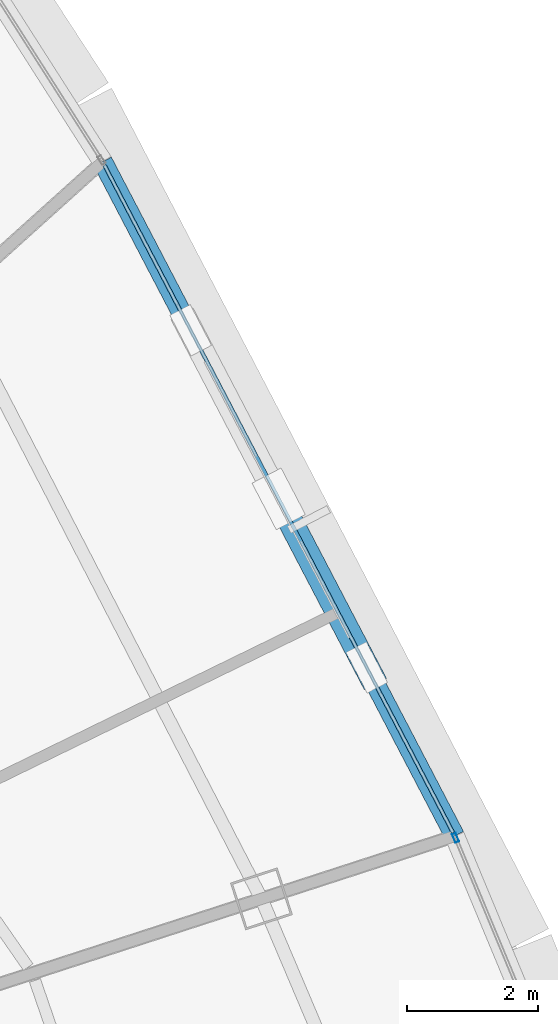
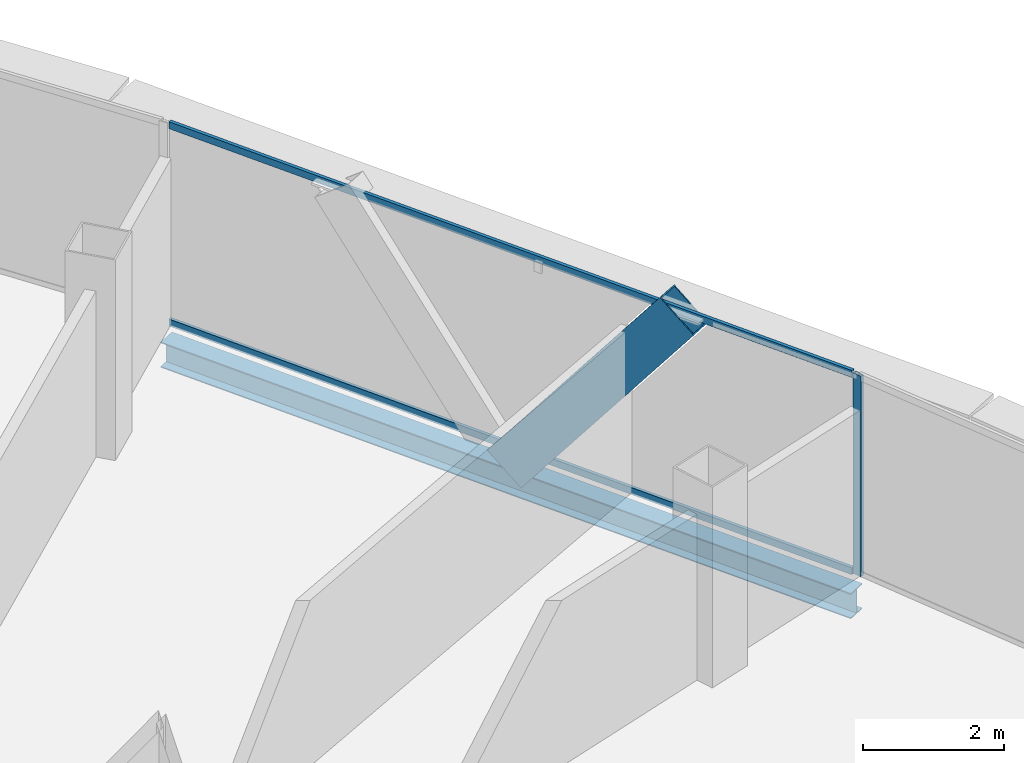
# One storey, part 16 of 37: 4 members, 1 beam, 2 elements without a shape of their own.
"""IFC4 building model written with IfcOpenShell, lengths in metres."""

from ifc_helpers import new_model, si_unit, direction, frame, origin, origin_2d, place, context, subcontext, project, spatial, hollow_rectangle, i_section, extrude, source, transform, mapped, material, layer, layer_set, material_profile, profile_set, type_object, element, aggregate, save


model = new_model("IFC4")

# Units and contexts
model_context = context("Model", 3, precision=1e-05, world=origin(), true_north=direction((0.0, 1.0)))
body_context = subcontext(model_context, "Body", "Model", "MODEL_VIEW")
ifc_project = project(units=[si_unit("LENGTHUNIT", "METRE"), si_unit("AREAUNIT", "SQUARE_METRE"), si_unit("VOLUMEUNIT", "CUBIC_METRE"), si_unit("PLANEANGLEUNIT", "RADIAN"), si_unit("MASSUNIT", "GRAM", prefix="KILO"), si_unit("THERMODYNAMICTEMPERATUREUNIT", "KELVIN"), si_unit("POWERUNIT", "WATT")], contexts=[model_context])

# Site, building, storey
site_placement = place(None, origin())
site = spatial("IfcSite", under=ifc_project, at=site_placement, CompositionType="ELEMENT")
building_placement = place(site_placement, origin())
building = spatial("IfcBuilding", under=site, at=building_placement, Name="Yunzhuo Pagoda Commons", CompositionType="ELEMENT")
storey_placement = place(building_placement, frame((0.0, 0.0, 281.2900390625)))
storey = spatial("IfcBuildingStorey", under=building, at=storey_placement, Name="L70", CompositionType="ELEMENT", Elevation=281.2900390625)

# Beam
ifc_material_1 = material(Name="Structural steel Q355B", Category="steel")
ifc_material_profile_1 = material_profile(ifc_material_1, i_section(OverallWidth=0.300048828125, OverallDepth=0.43994140625, WebThickness=0.010986328125, FlangeThickness=0.01806640625, at=origin_2d()), Name="Structural steel Q355B")
ifc_profile_set_1 = profile_set([ifc_material_profile_1], Name="Structural steel Q355B")
beam_type = type_object("IfcBeamType", Name="B-SP2 Beam HM 440x300x11x18", PredefinedType="BEAM", material=ifc_profile_set_1)
shared_shape_1 = source(origin(), body_context, "Body", "SweptSolid", [
    extrude(i_section(OverallWidth=0.300048828125, OverallDepth=0.43994140625, WebThickness=0.010986328125, FlangeThickness=0.01806640625, at=origin_2d()), origin(), (0.0, 0.0, 1.0), 11.5908203125),
])
beam_placement = place(storey_placement, frame((74.248291015625, 42.228515625, -0.47998046875), z_axis=(-0.462882706125, 0.886419539705, 0.0), x_axis=(-0.886419539705, -0.462882706125, 0.0)))
element("IfcBeam", 1, at=beam_placement, inside=storey, type_object=beam_type, Name="L70 facade edge spandrel beam F2.2", PredefinedType="BEAM", context=body_context, shape_type="MappedRepresentation", body=[
    mapped(shared_shape_1, transform((0.0, 0.0, 0.0), scale=1.0)),
])

# Member
ifc_material_profile_2 = material_profile(ifc_material_1, hollow_rectangle(XDim=0.3798828125, YDim=0.719970703125, WallThickness=0.02001953125, at=origin_2d()), Name="Structural steel Q355B")
ifc_profile_set_2 = profile_set([ifc_material_profile_2], Name="Structural steel Q355B")
member_type_1 = type_object("IfcMemberType", Name="M-DL3 Brace BOX 720x380x20", PredefinedType="BRACE", material=ifc_profile_set_2)
shared_shape_2 = source(origin(), body_context, "Body", "SweptSolid", [
    extrude(hollow_rectangle(XDim=0.3798828125, YDim=0.719970703125, WallThickness=0.02001953125, at=origin_2d()), origin(), (0.0, 0.0, 1.0), 4.723388671875),
])
member_1_placement = place(storey_placement, frame((71.5654296875, 47.36572265625, -0.260009765625), z_axis=(0.284024371624, -0.543807172676, 0.789685959904), x_axis=(0.886384969123, 0.462948902702, 0.0)))
element("IfcMember", 2, at=member_1_placement, inside=storey, type_object=member_type_1, Name="L70 facade diamond brace F2.2L", PredefinedType="BRACE", context=body_context, shape_type="MappedRepresentation", body=[
    mapped(shared_shape_2, transform((0.0, 0.0, 0.0), scale=1.0)),
])

# Curtain wall, member
ifc_material_2 = material(Name="Anodized aluminium 6063-T6", Category="aluminium")
ifc_layer = layer(ifc_material_2, 0.139892578125)
ifc_layer_set = layer_set([ifc_layer], Name="Anodized aluminium 6063-T6")
curtain_wall_type = type_object("IfcCurtainWallType", Name="CW-HI High-Zone Ribbon Curtain Wall", PredefinedType="NOTDEFINED", material=ifc_layer_set)
curtain_wall_1_placement = place(storey_placement, origin())
curtain_wall_1 = element("IfcCurtainWall", 3, at=curtain_wall_1_placement, inside=storey, type_object=curtain_wall_type, Name="L70 curtain wall CW-L70-F2B2", PredefinedType="NOTDEFINED")
ifc_material_profile_3 = material_profile(ifc_material_2, hollow_rectangle(XDim=0.06005859375, YDim=0.139892578125, WallThickness=0.00341796875, at=origin_2d()), Name="Anodized aluminium 6063-T6")
ifc_profile_set_3 = profile_set([ifc_material_profile_3], Name="Anodized aluminium 6063-T6")
member_type_2 = type_object("IfcMemberType", Name="CW-HI-M Mullion RHS 140x60x3.5", PredefinedType="MULLION", material=ifc_profile_set_3)
shared_shape_3 = source(origin(), body_context, "Body", "SweptSolid", [
    extrude(hollow_rectangle(XDim=0.06005859375, YDim=0.139892578125, WallThickness=0.00341796875, at=origin_2d()), origin(), (0.0, 0.0, 1.0), 3.469970703125),
])
member_2_placement = place(storey_placement, frame((74.259765625, 42.200927734375, 0.0), z_axis=(0.0, 0.0, 1.0), x_axis=(-0.923393531316, -0.383854642182, 0.0)))
member_2 = element("IfcMember", 4, at=member_2_placement, type_object=member_type_2, Name="CW mullion 2", PredefinedType="MULLION", context=body_context, shape_type="MappedRepresentation", body=[
    mapped(shared_shape_3, transform((0.0, 0.0, 0.0), scale=1.0)),
])
aggregate(curtain_wall_1, [member_2])

# Curtain wall, members
curtain_wall_2_placement = place(storey_placement, origin())
curtain_wall_2 = element("IfcCurtainWall", 5, at=curtain_wall_2_placement, inside=storey, type_object=curtain_wall_type, Name="L70 curtain wall CW-L70-F2B3", PredefinedType="NOTDEFINED")
ifc_material_profile_4 = material_profile(ifc_material_2, hollow_rectangle(XDim=0.054931640625, YDim=0.1201171875, WallThickness=0.00341796875, at=origin_2d()), Name="Anodized aluminium 6063-T6")
ifc_profile_set_4 = profile_set([ifc_material_profile_4], Name="Anodized aluminium 6063-T6")
member_type_3 = type_object("IfcMemberType", Name="CW-HI-T Transom RHS 120x55x3.5", PredefinedType="USERDEFINED", material=ifc_profile_set_4)
shared_shape_4 = source(origin(), body_context, "Body", "SweptSolid", [
    extrude(hollow_rectangle(XDim=0.054931640625, YDim=0.1201171875, WallThickness=0.00341796875, at=origin_2d()), origin(), (0.0, 0.0, 1.0), 11.470947265625),
])
member_3_placement = place(storey_placement, frame((74.220458984375, 42.28173828125, 0.02734375), z_axis=(-0.462910741435, 0.886404899278, 0.0), x_axis=(-0.886404899278, -0.462910741435, 0.0)))
member_3 = element("IfcMember", 6, at=member_3_placement, type_object=member_type_3, Name="CW transom 1.1", ObjectType="TRANSOM", PredefinedType="USERDEFINED", context=body_context, shape_type="MappedRepresentation", body=[
    mapped(shared_shape_4, transform((0.0, 0.0, 0.0), scale=1.0)),
])
member_4_placement = place(storey_placement, frame((74.220458984375, 42.28173828125, 3.4423828125), z_axis=(-0.462910741435, 0.886404899278, 0.0), x_axis=(-0.886404899278, -0.462910741435, 0.0)))
member_4 = element("IfcMember", 7, at=member_4_placement, type_object=member_type_3, Name="CW transom 1.2", ObjectType="TRANSOM", PredefinedType="USERDEFINED", context=body_context, shape_type="MappedRepresentation", body=[
    mapped(shared_shape_4, transform((0.0, 0.0, 0.0), scale=1.0)),
])
aggregate(curtain_wall_2, [member_3, member_4])

save(model, "model.ifc")
